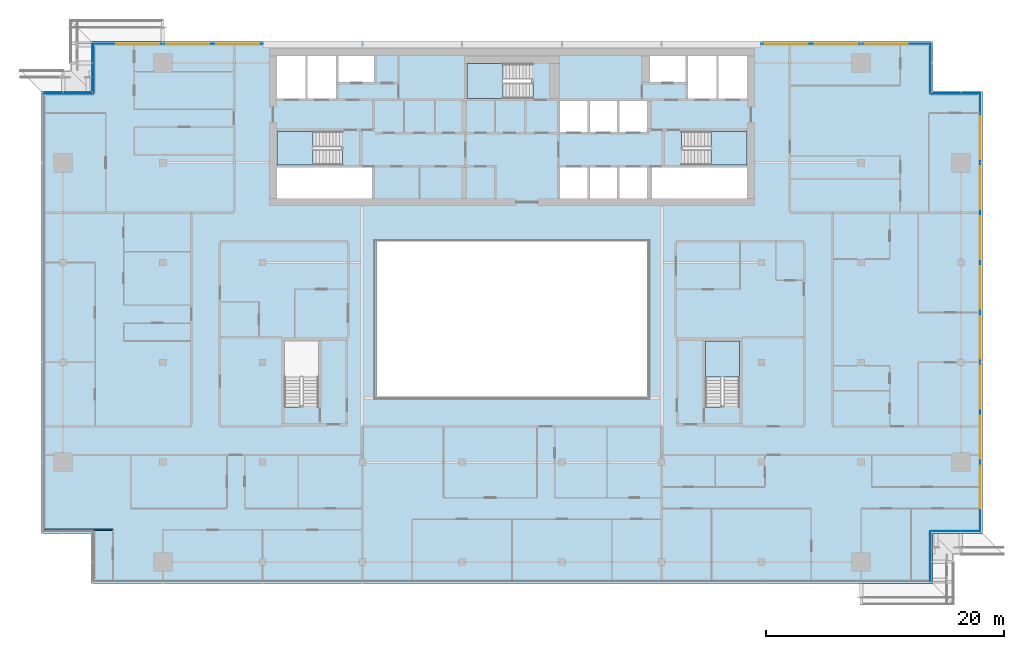
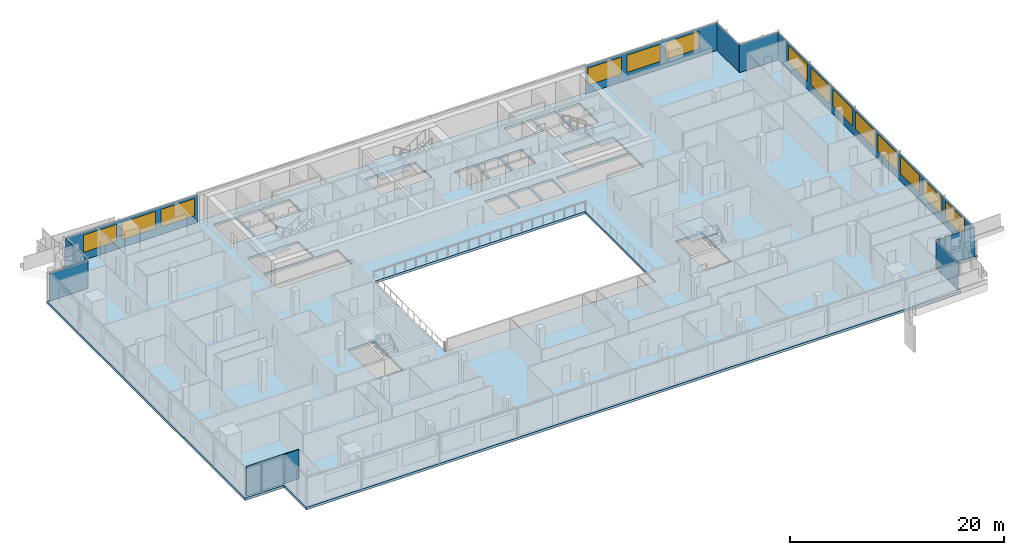
# One storey, part 17 of 30: 14 windows, 9 plates, 5 slabs, 1 wall, 14 openings, 12 elements without a shape of their own.
"""IFC4 building model written with IfcOpenShell, lengths in metres."""

from ifc_helpers import new_model, si_unit, direction, frame, frame_2d, origin, place, context, subcontext, project, spatial, polyline, rectangle, outline, extrude, material, layer, layer_set, type_object, element, fill, aggregate, save


model = new_model("IFC4")

# Units and contexts
model_context = context("Model", 3, precision=1e-05, world=origin(), true_north=direction((0.0, 1.0)))
body_context = subcontext(model_context, "Body", "Model", "MODEL_VIEW")
ifc_project = project(units=[si_unit("LENGTHUNIT", "METRE"), si_unit("AREAUNIT", "SQUARE_METRE"), si_unit("VOLUMEUNIT", "CUBIC_METRE"), si_unit("PLANEANGLEUNIT", "RADIAN"), si_unit("MASSUNIT", "GRAM", prefix="KILO")], contexts=[model_context])

# Site, building, storey
site_placement = place(None, origin())
site = spatial("IfcSite", under=ifc_project, at=site_placement, CompositionType="ELEMENT")
building_placement = place(site_placement, origin())
building = spatial("IfcBuilding", under=site, at=building_placement, Name="Saffron Gate Tower", CompositionType="ELEMENT")
storey_placement = place(building_placement, frame((0.0, 0.0, 237.89990234375)))
storey = spatial("IfcBuildingStorey", under=building, at=storey_placement, Name="L58", CompositionType="ELEMENT", Elevation=237.89990234375)

# Curtain wall, plate, openings, windows
ifc_material_1 = material(Name="Aluminium, bronze anodised", Category="aluminium")
curtain_wall_type_1 = type_object("IfcCurtainWallType", Name="CWS2 curtain wall side facades", PredefinedType="NOTDEFINED", material=ifc_material_1)
curtain_wall_1_placement = place(storey_placement, origin())
curtain_wall_1 = element("IfcCurtainWall", 1, at=curtain_wall_1_placement, inside=storey, type_object=curtain_wall_type_1, Name="CWS2 run 4", PredefinedType="NOTDEFINED")
ifc_material_2 = material(Name="Fritted bronze-tinted laminated glass", Category="glass")
ifc_layer_1 = layer(ifc_material_2, 0.028076171875)
ifc_layer_set_1 = layer_set([ifc_layer_1], Name="CWS2 fixed glass")
plate_type_1 = type_object("IfcPlateType", Name="CWS2 fixed glass", PredefinedType="CURTAIN_PANEL", material=ifc_layer_set_1)
plate_1_placement = place(storey_placement, frame((127.02587890625, 34.387939453125, 0.0), z_axis=(0.0, 0.0, 1.0), x_axis=(0.0, 1.0, 0.0)))
plate_1 = element("IfcPlate", 2, at=plate_1_placement, type_object=plate_type_1, Name="CWS2 glass panel", PredefinedType="CURTAIN_PANEL", context=body_context, shape_type="SweptSolid", body=[
    extrude(rectangle(XDim=36.823974609375, YDim=0.028076171875, at=frame_2d((18.412109375, 0.0))), origin(), (0.0, 0.0, 1.0), 3.2001953125),
])
opening_1_placement = place(plate_1_placement, frame((1.912109375, 0.0, 0.89990234375)))
opening_1 = element("IfcOpeningElement", 3, at=opening_1_placement, cuts=plate_1, Name="Opening W1", PredefinedType="OPENING", context=body_context, shape_type="SweptSolid", body=[
    extrude(rectangle(XDim=3.60009765625, YDim=1.949951171875, at=frame_2d((1.800048828125, 0.97509765625))), frame((0.0, 0.02392578125, 0.0), z_axis=(0.0, -1.0, 0.0), x_axis=(1.0, 0.0, 0.0)), (0.0, 0.0, 1.0), 0.048095703125),
])
opening_2_placement = place(plate_1_placement, frame((6.112060546875, 0.0, 0.89990234375)))
opening_2 = element("IfcOpeningElement", 4, at=opening_2_placement, cuts=plate_1, Name="Opening W1", PredefinedType="OPENING", context=body_context, shape_type="SweptSolid", body=[
    extrude(rectangle(XDim=3.60009765625, YDim=1.949951171875, at=frame_2d((1.800048828125, 0.97509765625))), frame((0.0, 0.02392578125, 0.0), z_axis=(0.0, -1.0, 0.0), x_axis=(1.0, 0.0, 0.0)), (0.0, 0.0, 1.0), 0.048095703125),
])
opening_3_placement = place(plate_1_placement, frame((10.31201171875, 0.0, 0.89990234375)))
opening_3 = element("IfcOpeningElement", 5, at=opening_3_placement, cuts=plate_1, Name="Opening W1", PredefinedType="OPENING", context=body_context, shape_type="SweptSolid", body=[
    extrude(rectangle(XDim=3.60009765625, YDim=1.949951171875, at=frame_2d((1.800048828125, 0.97509765625))), frame((0.0, 0.02392578125, 0.0), z_axis=(0.0, -1.0, 0.0), x_axis=(1.0, 0.0, 0.0)), (0.0, 0.0, 1.0), 0.048095703125),
])
opening_4_placement = place(plate_1_placement, frame((14.511962890625, 0.0, 0.89990234375)))
opening_4 = element("IfcOpeningElement", 6, at=opening_4_placement, cuts=plate_1, Name="Opening W1", PredefinedType="OPENING", context=body_context, shape_type="SweptSolid", body=[
    extrude(rectangle(XDim=3.60009765625, YDim=1.949951171875, at=frame_2d((1.800048828125, 0.97509765625))), frame((0.0, 0.02392578125, 0.0), z_axis=(0.0, -1.0, 0.0), x_axis=(1.0, 0.0, 0.0)), (0.0, 0.0, 1.0), 0.048095703125),
])
opening_5_placement = place(plate_1_placement, frame((18.7119140625, 0.0, 0.89990234375)))
opening_5 = element("IfcOpeningElement", 7, at=opening_5_placement, cuts=plate_1, Name="Opening W1", PredefinedType="OPENING", context=body_context, shape_type="SweptSolid", body=[
    extrude(rectangle(XDim=3.60009765625, YDim=1.949951171875, at=frame_2d((1.800048828125, 0.97509765625))), frame((0.0, 0.02392578125, 0.0), z_axis=(0.0, -1.0, 0.0), x_axis=(1.0, 0.0, 0.0)), (0.0, 0.0, 1.0), 0.048095703125),
])
opening_6_placement = place(plate_1_placement, frame((22.912109375, 0.0, 0.89990234375)))
opening_6 = element("IfcOpeningElement", 8, at=opening_6_placement, cuts=plate_1, Name="Opening W1", PredefinedType="OPENING", context=body_context, shape_type="SweptSolid", body=[
    extrude(rectangle(XDim=3.60009765625, YDim=1.949951171875, at=frame_2d((1.800048828125, 0.97509765625))), frame((0.0, 0.02392578125, 0.0), z_axis=(0.0, -1.0, 0.0), x_axis=(1.0, 0.0, 0.0)), (0.0, 0.0, 1.0), 0.048095703125),
])
opening_7_placement = place(plate_1_placement, frame((27.112060546875, 0.0, 0.89990234375)))
opening_7 = element("IfcOpeningElement", 9, at=opening_7_placement, cuts=plate_1, Name="Opening W1", PredefinedType="OPENING", context=body_context, shape_type="SweptSolid", body=[
    extrude(rectangle(XDim=3.60009765625, YDim=1.949951171875, at=frame_2d((1.800048828125, 0.97509765625))), frame((0.0, 0.02392578125, 0.0), z_axis=(0.0, -1.0, 0.0), x_axis=(1.0, 0.0, 0.0)), (0.0, 0.0, 1.0), 0.048095703125),
])
opening_8_placement = place(plate_1_placement, frame((31.31201171875, 0.0, 0.89990234375)))
opening_8 = element("IfcOpeningElement", 10, at=opening_8_placement, cuts=plate_1, Name="Opening W1", PredefinedType="OPENING", context=body_context, shape_type="SweptSolid", body=[
    extrude(rectangle(XDim=3.60009765625, YDim=1.949951171875, at=frame_2d((1.800048828125, 0.97509765625))), frame((0.0, 0.02392578125, 0.0), z_axis=(0.0, -1.0, 0.0), x_axis=(1.0, 0.0, 0.0)), (0.0, 0.0, 1.0), 0.048095703125),
])
ifc_material_3 = material(Name="Fritted bronze-tinted laminated glass in bronze frame", Category="glass")
ifc_layer_2 = layer(ifc_material_3, 0.06005859375)
ifc_layer_set_2 = layer_set([ifc_layer_2], Name="W1 operable panel 3600x1950")
window_type = type_object("IfcWindowType", Name="W1 operable panel 3600x1950", PartitioningType="DOUBLE_PANEL_HORIZONTAL", PredefinedType="WINDOW", material=ifc_layer_set_2)
window_1_placement = place(opening_1_placement, origin())
window_1 = element("IfcWindow", 11, at=window_1_placement, type_object=window_type, Name="W1 operable panel", OverallHeight=1.949951171875, OverallWidth=3.60009765625, PartitioningType="SINGLE_PANEL", PredefinedType="WINDOW", context=body_context, shape_type="SweptSolid", body=[
    extrude(rectangle(XDim=3.60009765625, YDim=1.949951171875, at=frame_2d((1.800048828125, 0.97509765625))), frame((0.0, 0.013671875, 0.0), z_axis=(0.0, -1.0, 0.0), x_axis=(1.0, 0.0, 0.0)), (0.0, 0.0, 1.0), 0.027587890625),
])
fill(opening_1, window_1)
window_2_placement = place(opening_2_placement, origin())
window_2 = element("IfcWindow", 12, at=window_2_placement, type_object=window_type, Name="W1 operable panel", OverallHeight=1.949951171875, OverallWidth=3.60009765625, PartitioningType="SINGLE_PANEL", PredefinedType="WINDOW", context=body_context, shape_type="SweptSolid", body=[
    extrude(rectangle(XDim=3.60009765625, YDim=1.949951171875, at=frame_2d((1.800048828125, 0.97509765625))), frame((0.0, 0.013671875, 0.0), z_axis=(0.0, -1.0, 0.0), x_axis=(1.0, 0.0, 0.0)), (0.0, 0.0, 1.0), 0.027587890625),
])
fill(opening_2, window_2)
window_3_placement = place(opening_3_placement, origin())
window_3 = element("IfcWindow", 13, at=window_3_placement, type_object=window_type, Name="W1 operable panel", OverallHeight=1.949951171875, OverallWidth=3.60009765625, PartitioningType="SINGLE_PANEL", PredefinedType="WINDOW", context=body_context, shape_type="SweptSolid", body=[
    extrude(rectangle(XDim=3.60009765625, YDim=1.949951171875, at=frame_2d((1.800048828125, 0.97509765625))), frame((0.0, 0.013671875, 0.0), z_axis=(0.0, -1.0, 0.0), x_axis=(1.0, 0.0, 0.0)), (0.0, 0.0, 1.0), 0.027587890625),
])
fill(opening_3, window_3)
window_4_placement = place(opening_4_placement, origin())
window_4 = element("IfcWindow", 14, at=window_4_placement, type_object=window_type, Name="W1 operable panel", OverallHeight=1.949951171875, OverallWidth=3.60009765625, PartitioningType="SINGLE_PANEL", PredefinedType="WINDOW", context=body_context, shape_type="SweptSolid", body=[
    extrude(rectangle(XDim=3.60009765625, YDim=1.949951171875, at=frame_2d((1.800048828125, 0.97509765625))), frame((0.0, 0.013671875, 0.0), z_axis=(0.0, -1.0, 0.0), x_axis=(1.0, 0.0, 0.0)), (0.0, 0.0, 1.0), 0.027587890625),
])
fill(opening_4, window_4)
window_5_placement = place(opening_5_placement, origin())
window_5 = element("IfcWindow", 15, at=window_5_placement, type_object=window_type, Name="W1 operable panel", OverallHeight=1.949951171875, OverallWidth=3.60009765625, PartitioningType="SINGLE_PANEL", PredefinedType="WINDOW", context=body_context, shape_type="SweptSolid", body=[
    extrude(rectangle(XDim=3.60009765625, YDim=1.949951171875, at=frame_2d((1.800048828125, 0.97509765625))), frame((0.0, 0.013671875, 0.0), z_axis=(0.0, -1.0, 0.0), x_axis=(1.0, 0.0, 0.0)), (0.0, 0.0, 1.0), 0.027587890625),
])
fill(opening_5, window_5)
window_6_placement = place(opening_6_placement, origin())
window_6 = element("IfcWindow", 16, at=window_6_placement, type_object=window_type, Name="W1 operable panel", OverallHeight=1.949951171875, OverallWidth=3.60009765625, PartitioningType="SINGLE_PANEL", PredefinedType="WINDOW", context=body_context, shape_type="SweptSolid", body=[
    extrude(rectangle(XDim=3.60009765625, YDim=1.949951171875, at=frame_2d((1.800048828125, 0.97509765625))), frame((0.0, 0.013671875, 0.0), z_axis=(0.0, -1.0, 0.0), x_axis=(1.0, 0.0, 0.0)), (0.0, 0.0, 1.0), 0.027587890625),
])
fill(opening_6, window_6)
window_7_placement = place(opening_7_placement, origin())
window_7 = element("IfcWindow", 17, at=window_7_placement, type_object=window_type, Name="W1 operable panel", OverallHeight=1.949951171875, OverallWidth=3.60009765625, PartitioningType="SINGLE_PANEL", PredefinedType="WINDOW", context=body_context, shape_type="SweptSolid", body=[
    extrude(rectangle(XDim=3.60009765625, YDim=1.949951171875, at=frame_2d((1.800048828125, 0.97509765625))), frame((0.0, 0.013671875, 0.0), z_axis=(0.0, -1.0, 0.0), x_axis=(1.0, 0.0, 0.0)), (0.0, 0.0, 1.0), 0.027587890625),
])
fill(opening_7, window_7)
window_8_placement = place(opening_8_placement, origin())
window_8 = element("IfcWindow", 18, at=window_8_placement, type_object=window_type, Name="W1 operable panel", OverallHeight=1.949951171875, OverallWidth=3.60009765625, PartitioningType="SINGLE_PANEL", PredefinedType="WINDOW", context=body_context, shape_type="SweptSolid", body=[
    extrude(rectangle(XDim=3.60009765625, YDim=1.949951171875, at=frame_2d((1.800048828125, 0.97509765625))), frame((0.0, 0.013671875, 0.0), z_axis=(0.0, -1.0, 0.0), x_axis=(1.0, 0.0, 0.0)), (0.0, 0.0, 1.0), 0.027587890625),
])
fill(opening_8, window_8)
aggregate(curtain_wall_1, [plate_1, window_1, window_2, window_3, window_4, window_5, window_6, window_7, window_8])

# Curtain wall, plates, openings, windows
curtain_wall_type_2 = type_object("IfcCurtainWallType", Name="CWS3 curtain wall rear facade", PredefinedType="NOTDEFINED", material=ifc_material_1)
curtain_wall_2_placement = place(storey_placement, origin())
curtain_wall_2 = element("IfcCurtainWall", 19, at=curtain_wall_2_placement, inside=storey, type_object=curtain_wall_type_2, Name="CWS3 run 7", PredefinedType="NOTDEFINED")
ifc_material_4 = material(Name="Fritted grey-tinted laminated glass", Category="glass")
ifc_layer_3 = layer(ifc_material_4, 0.028076171875)
ifc_layer_set_3 = layer_set([ifc_layer_3], Name="CWS3 fixed glass")
plate_type_2 = type_object("IfcPlateType", Name="CWS3 fixed glass", PredefinedType="CURTAIN_PANEL", material=ifc_layer_set_3)
plate_2_placement = place(storey_placement, frame((122.81201171875, 75.426025390625, 0.0), z_axis=(0.0, 0.0, 1.0), x_axis=(-1.0, 0.0, 0.0)))
plate_2 = element("IfcPlate", 20, at=plate_2_placement, type_object=plate_type_2, Name="CWS3 glass panel", PredefinedType="CURTAIN_PANEL", context=body_context, shape_type="SweptSolid", body=[
    extrude(rectangle(XDim=14.2470703125, YDim=0.028076171875, at=frame_2d((7.12353515625, 0.0))), origin(), (0.0, 0.0, 1.0), 3.2001953125),
])
opening_9_placement = place(plate_2_placement, frame((1.912109375, 0.0, 0.89990234375)))
opening_9 = element("IfcOpeningElement", 21, at=opening_9_placement, cuts=plate_2, Name="Opening W1", PredefinedType="OPENING", context=body_context, shape_type="SweptSolid", body=[
    extrude(rectangle(XDim=3.60009765625, YDim=1.949951171875, at=frame_2d((1.800048828125, 0.97509765625))), frame((0.0, 0.02392578125, 0.0), z_axis=(0.0, -1.0, 0.0), x_axis=(1.0, 0.0, 0.0)), (0.0, 0.0, 1.0), 0.048095703125),
])
opening_10_placement = place(plate_2_placement, frame((6.112060546875, 0.0, 0.89990234375)))
opening_10 = element("IfcOpeningElement", 22, at=opening_10_placement, cuts=plate_2, Name="Opening W1", PredefinedType="OPENING", context=body_context, shape_type="SweptSolid", body=[
    extrude(rectangle(XDim=3.60009765625, YDim=1.949951171875, at=frame_2d((1.800048828125, 0.97509765625))), frame((0.0, 0.02392578125, 0.0), z_axis=(0.0, -1.0, 0.0), x_axis=(1.0, 0.0, 0.0)), (0.0, 0.0, 1.0), 0.048095703125),
])
opening_11_placement = place(plate_2_placement, frame((10.31201171875, 0.0, 0.89990234375)))
opening_11 = element("IfcOpeningElement", 23, at=opening_11_placement, cuts=plate_2, Name="Opening W1", PredefinedType="OPENING", context=body_context, shape_type="SweptSolid", body=[
    extrude(rectangle(XDim=3.60009765625, YDim=1.949951171875, at=frame_2d((1.800048828125, 0.97509765625))), frame((0.0, 0.02392578125, 0.0), z_axis=(0.0, -1.0, 0.0), x_axis=(1.0, 0.0, 0.0)), (0.0, 0.0, 1.0), 0.048095703125),
])
window_9_placement = place(opening_9_placement, origin())
window_9 = element("IfcWindow", 24, at=window_9_placement, type_object=window_type, Name="W1 operable panel", OverallHeight=1.949951171875, OverallWidth=3.60009765625, PartitioningType="SINGLE_PANEL", PredefinedType="WINDOW", context=body_context, shape_type="SweptSolid", body=[
    extrude(rectangle(XDim=3.60009765625, YDim=1.949951171875, at=frame_2d((1.800048828125, 0.97509765625))), frame((0.0, 0.013671875, 0.0), z_axis=(0.0, -1.0, 0.0), x_axis=(1.0, 0.0, 0.0)), (0.0, 0.0, 1.0), 0.027587890625),
])
fill(opening_9, window_9)
window_10_placement = place(opening_10_placement, origin())
window_10 = element("IfcWindow", 25, at=window_10_placement, type_object=window_type, Name="W1 operable panel", OverallHeight=1.949951171875, OverallWidth=3.60009765625, PartitioningType="SINGLE_PANEL", PredefinedType="WINDOW", context=body_context, shape_type="SweptSolid", body=[
    extrude(rectangle(XDim=3.60009765625, YDim=1.949951171875, at=frame_2d((1.800048828125, 0.97509765625))), frame((0.0, 0.013671875, 0.0), z_axis=(0.0, -1.0, 0.0), x_axis=(1.0, 0.0, 0.0)), (0.0, 0.0, 1.0), 0.027587890625),
])
fill(opening_10, window_10)
window_11_placement = place(opening_11_placement, origin())
window_11 = element("IfcWindow", 26, at=window_11_placement, type_object=window_type, Name="W1 operable panel", OverallHeight=1.949951171875, OverallWidth=3.60009765625, PartitioningType="SINGLE_PANEL", PredefinedType="WINDOW", context=body_context, shape_type="SweptSolid", body=[
    extrude(rectangle(XDim=3.60009765625, YDim=1.949951171875, at=frame_2d((1.800048828125, 0.97509765625))), frame((0.0, 0.013671875, 0.0), z_axis=(0.0, -1.0, 0.0), x_axis=(1.0, 0.0, 0.0)), (0.0, 0.0, 1.0), 0.027587890625),
])
fill(opening_11, window_11)
plate_3_placement = place(storey_placement, frame((66.635009765625, 75.426025390625, 0.0), z_axis=(0.0, 0.0, 1.0), x_axis=(-1.0, 0.0, 0.0)))
plate_3 = element("IfcPlate", 27, at=plate_3_placement, type_object=plate_type_2, Name="CWS3 glass panel", PredefinedType="CURTAIN_PANEL", context=body_context, shape_type="SweptSolid", body=[
    extrude(rectangle(XDim=14.2470703125, YDim=0.028076171875, at=frame_2d((7.12353515625, 0.0))), origin(), (0.0, 0.0, 1.0), 3.2001953125),
])
opening_12_placement = place(plate_3_placement, frame((0.3349609375, 0.0, 0.89990234375)))
opening_12 = element("IfcOpeningElement", 28, at=opening_12_placement, cuts=plate_3, Name="Opening W1", PredefinedType="OPENING", context=body_context, shape_type="SweptSolid", body=[
    extrude(rectangle(XDim=3.60009765625, YDim=1.949951171875, at=frame_2d((1.800048828125, 0.97509765625))), frame((0.0, 0.02392578125, 0.0), z_axis=(0.0, -1.0, 0.0), x_axis=(1.0, 0.0, 0.0)), (0.0, 0.0, 1.0), 0.048095703125),
])
opening_13_placement = place(plate_3_placement, frame((4.534912109375, 0.0, 0.89990234375)))
opening_13 = element("IfcOpeningElement", 29, at=opening_13_placement, cuts=plate_3, Name="Opening W1", PredefinedType="OPENING", context=body_context, shape_type="SweptSolid", body=[
    extrude(rectangle(XDim=3.60009765625, YDim=1.949951171875, at=frame_2d((1.800048828125, 0.97509765625))), frame((0.0, 0.02392578125, 0.0), z_axis=(0.0, -1.0, 0.0), x_axis=(1.0, 0.0, 0.0)), (0.0, 0.0, 1.0), 0.048095703125),
])
opening_14_placement = place(plate_3_placement, frame((8.735107421875, 0.0, 0.89990234375)))
opening_14 = element("IfcOpeningElement", 30, at=opening_14_placement, cuts=plate_3, Name="Opening W1", PredefinedType="OPENING", context=body_context, shape_type="SweptSolid", body=[
    extrude(rectangle(XDim=3.60009765625, YDim=1.949951171875, at=frame_2d((1.800048828125, 0.97509765625))), frame((0.0, 0.02392578125, 0.0), z_axis=(0.0, -1.0, 0.0), x_axis=(1.0, 0.0, 0.0)), (0.0, 0.0, 1.0), 0.048095703125),
])
window_12_placement = place(opening_12_placement, origin())
window_12 = element("IfcWindow", 31, at=window_12_placement, type_object=window_type, Name="W1 operable panel", OverallHeight=1.949951171875, OverallWidth=3.60009765625, PartitioningType="SINGLE_PANEL", PredefinedType="WINDOW", context=body_context, shape_type="SweptSolid", body=[
    extrude(rectangle(XDim=3.60009765625, YDim=1.949951171875, at=frame_2d((1.800048828125, 0.97509765625))), frame((0.0, 0.013671875, 0.0), z_axis=(0.0, -1.0, 0.0), x_axis=(1.0, 0.0, 0.0)), (0.0, 0.0, 1.0), 0.027587890625),
])
fill(opening_12, window_12)
window_13_placement = place(opening_13_placement, origin())
window_13 = element("IfcWindow", 32, at=window_13_placement, type_object=window_type, Name="W1 operable panel", OverallHeight=1.949951171875, OverallWidth=3.60009765625, PartitioningType="SINGLE_PANEL", PredefinedType="WINDOW", context=body_context, shape_type="SweptSolid", body=[
    extrude(rectangle(XDim=3.60009765625, YDim=1.949951171875, at=frame_2d((1.800048828125, 0.97509765625))), frame((0.0, 0.013671875, 0.0), z_axis=(0.0, -1.0, 0.0), x_axis=(1.0, 0.0, 0.0)), (0.0, 0.0, 1.0), 0.027587890625),
])
fill(opening_13, window_13)
window_14_placement = place(opening_14_placement, origin())
window_14 = element("IfcWindow", 33, at=window_14_placement, type_object=window_type, Name="W1 operable panel", OverallHeight=1.949951171875, OverallWidth=3.60009765625, PartitioningType="SINGLE_PANEL", PredefinedType="WINDOW", context=body_context, shape_type="SweptSolid", body=[
    extrude(rectangle(XDim=3.60009765625, YDim=1.949951171875, at=frame_2d((1.800048828125, 0.97509765625))), frame((0.0, 0.013671875, 0.0), z_axis=(0.0, -1.0, 0.0), x_axis=(1.0, 0.0, 0.0)), (0.0, 0.0, 1.0), 0.027587890625),
])
fill(opening_14, window_14)
aggregate(curtain_wall_2, [plate_2, plate_3, window_9, window_10, window_11, window_12, window_13, window_14])

# Curtain wall, plate
curtain_wall_type_3 = type_object("IfcCurtainWallType", Name="CWS4 curtain wall corner returns", PredefinedType="NOTDEFINED", material=ifc_material_1)
curtain_wall_3_placement = place(storey_placement, origin())
curtain_wall_3 = element("IfcCurtainWall", 34, at=curtain_wall_3_placement, inside=storey, type_object=curtain_wall_type_3, Name="CWS4 run 2", PredefinedType="NOTDEFINED")
ifc_layer_4 = layer(ifc_material_2, 0.028076171875)
ifc_layer_set_4 = layer_set([ifc_layer_4], Name="CWS4 fixed glass")
plate_type_3 = type_object("IfcPlateType", Name="CWS4 fixed glass", PredefinedType="CURTAIN_PANEL", material=ifc_layer_set_4)
plate_4_placement = place(storey_placement, frame((122.825927734375, 30.18798828125, 0.0), z_axis=(0.0, 0.0, 1.0), x_axis=(0.0, 1.0, 0.0)))
plate_4 = element("IfcPlate", 35, at=plate_4_placement, type_object=plate_type_3, Name="CWS4 glass panel", PredefinedType="CURTAIN_PANEL", context=body_context, shape_type="SweptSolid", body=[
    extrude(rectangle(XDim=4.172119140625, YDim=0.028076171875, at=frame_2d((2.0859375, 0.0))), origin(), (0.0, 0.0, 1.0), 3.2001953125),
])
aggregate(curtain_wall_3, [plate_4])

curtain_wall_4_placement = place(storey_placement, origin())
curtain_wall_4 = element("IfcCurtainWall", 36, at=curtain_wall_4_placement, inside=storey, type_object=curtain_wall_type_3, Name="CWS4 run 3", PredefinedType="NOTDEFINED")
plate_5_placement = place(storey_placement, frame((122.840087890625, 34.3740234375, 0.0), z_axis=(0.0, 0.0, 1.0), x_axis=(1.0, 0.0, 0.0)))
plate_5 = element("IfcPlate", 37, at=plate_5_placement, type_object=plate_type_3, Name="CWS4 glass panel", PredefinedType="CURTAIN_PANEL", context=body_context, shape_type="SweptSolid", body=[
    extrude(rectangle(XDim=4.171875, YDim=0.028076171875, at=frame_2d((2.0859375, 0.0))), origin(), (0.0, 0.0, 1.0), 3.2001953125),
])
aggregate(curtain_wall_4, [plate_5])

curtain_wall_5_placement = place(storey_placement, origin())
curtain_wall_5 = element("IfcCurtainWall", 38, at=curtain_wall_5_placement, inside=storey, type_object=curtain_wall_type_3, Name="CWS4 run 5", PredefinedType="NOTDEFINED")
plate_6_placement = place(storey_placement, frame((127.011962890625, 71.22607421875, 0.0), z_axis=(0.0, 0.0, 1.0), x_axis=(-1.0, 0.0, 0.0)))
plate_6 = element("IfcPlate", 39, at=plate_6_placement, type_object=plate_type_3, Name="CWS4 glass panel", PredefinedType="CURTAIN_PANEL", context=body_context, shape_type="SweptSolid", body=[
    extrude(rectangle(XDim=4.171875, YDim=0.028076171875, at=frame_2d((2.0859375, 0.0))), origin(), (0.0, 0.0, 1.0), 3.2001953125),
])
aggregate(curtain_wall_5, [plate_6])

curtain_wall_6_placement = place(storey_placement, origin())
curtain_wall_6 = element("IfcCurtainWall", 40, at=curtain_wall_6_placement, inside=storey, type_object=curtain_wall_type_3, Name="CWS4 run 6", PredefinedType="NOTDEFINED")
plate_7_placement = place(storey_placement, frame((122.825927734375, 71.239990234375, 0.0), z_axis=(0.0, 0.0, 1.0), x_axis=(0.0, 1.0, 0.0)))
plate_7 = element("IfcPlate", 41, at=plate_7_placement, type_object=plate_type_3, Name="CWS4 glass panel", PredefinedType="CURTAIN_PANEL", context=body_context, shape_type="SweptSolid", body=[
    extrude(rectangle(XDim=4.172119140625, YDim=0.028076171875, at=frame_2d((2.0859375, 0.0))), origin(), (0.0, 0.0, 1.0), 3.2001953125),
])
aggregate(curtain_wall_6, [plate_7])

curtain_wall_7_placement = place(storey_placement, origin())
curtain_wall_7 = element("IfcCurtainWall", 42, at=curtain_wall_7_placement, inside=storey, type_object=curtain_wall_type_3, Name="CWS4 run 8", PredefinedType="NOTDEFINED")
plate_8_placement = place(storey_placement, frame((52.3740234375, 75.412109375, 0.0), z_axis=(0.0, 0.0, 1.0), x_axis=(0.0, -1.0, 0.0)))
plate_8 = element("IfcPlate", 43, at=plate_8_placement, type_object=plate_type_3, Name="CWS4 glass panel", PredefinedType="CURTAIN_PANEL", context=body_context, shape_type="SweptSolid", body=[
    extrude(rectangle(XDim=4.172119140625, YDim=0.028076171875, at=frame_2d((2.0859375, 0.0))), origin(), (0.0, 0.0, 1.0), 3.2001953125),
])
aggregate(curtain_wall_7, [plate_8])

curtain_wall_8_placement = place(storey_placement, origin())
curtain_wall_8 = element("IfcCurtainWall", 44, at=curtain_wall_8_placement, inside=storey, type_object=curtain_wall_type_3, Name="CWS4 run 9", PredefinedType="NOTDEFINED")
plate_9_placement = place(storey_placement, frame((52.360107421875, 71.22607421875, 0.0), z_axis=(0.0, 0.0, 1.0), x_axis=(-1.0, 0.0, 0.0)))
plate_9 = element("IfcPlate", 45, at=plate_9_placement, type_object=plate_type_3, Name="CWS4 glass panel", PredefinedType="CURTAIN_PANEL", context=body_context, shape_type="SweptSolid", body=[
    extrude(rectangle(XDim=4.172119140625, YDim=0.028076171875, at=frame_2d((2.0859375, 0.0))), origin(), (0.0, 0.0, 1.0), 3.2001953125),
])
aggregate(curtain_wall_8, [plate_9])

# Slab
ifc_material_5 = material(Name="Concrete C40", Category="concrete")
ifc_layer_5 = layer(ifc_material_5, 0.280029296875)
ifc_layer_set_5 = layer_set([ifc_layer_5], Name="S2 FLOOR SLAB 280 CONCRETE C40")
slab_type_1 = type_object("IfcSlabType", Name="S2 FLOOR SLAB 280 CONCRETE C40", PredefinedType="FLOOR", material=ifc_layer_set_5)
slab_1_placement = place(storey_placement, frame((0.0, 0.0, -0.27978515625)))
element("IfcSlab", 46, at=slab_1_placement, inside=storey, type_object=slab_type_1, Name="S2 FLOOR SLAB", PredefinedType="FLOOR", context=body_context, shape_type="SweptSolid", body=[
    extrude(outline(polyline([(48.0, 34.199951171875), (52.199951171875, 34.199951171875), (52.199951171875, 30.0), (123.0, 30.0), (123.0, 34.199951171875), (127.199951171875, 34.199951171875), (127.199951171875, 71.39990234375), (123.0, 71.39990234375), (123.0, 75.60009765625), (52.199951171875, 75.60009765625), (52.199951171875, 71.39990234375), (48.0, 71.39990234375), (48.0, 34.199951171875)]), holes=[polyline([(67.800048828125, 62.39990234375), (67.800048828125, 65.0), (75.800048828125, 65.0), (75.800048828125, 62.39990234375), (67.800048828125, 62.39990234375)]), polyline([(67.800048828125, 65.199951171875), (67.800048828125, 68.050048828125), (73.25, 68.050048828125), (73.25, 66.550048828125), (73.34912109375, 66.550048828125), (73.34912109375, 65.199951171875), (67.800048828125, 65.199951171875)]), polyline([(67.800048828125, 70.800048828125), (67.800048828125, 74.39990234375), (70.199951171875, 74.39990234375), (70.199951171875, 70.800048828125), (67.800048828125, 70.800048828125)]), polyline([(68.449951171875, 44.85107421875), (68.449951171875, 50.39990234375), (71.300048828125, 50.39990234375), (71.300048828125, 44.949951171875), (69.800048828125, 44.949951171875), (69.800048828125, 44.85107421875), (68.449951171875, 44.85107421875)]), polyline([(70.39990234375, 70.800048828125), (70.39990234375, 74.39990234375), (72.800048828125, 74.39990234375), (72.800048828125, 70.800048828125), (70.39990234375, 70.800048828125)]), polyline([(73.0, 72.199951171875), (73.0, 74.39990234375), (76.0, 74.39990234375), (76.0, 72.199951171875), (73.0, 72.199951171875)]), polyline([(76.199951171875, 45.60009765625), (76.199951171875, 58.800048828125), (99.0, 58.800048828125), (99.0, 45.60009765625), (76.199951171875, 45.60009765625)]), polyline([(83.800048828125, 70.800048828125), (83.800048828125, 73.75), (89.25, 73.75), (89.25, 72.14990234375), (89.34912109375, 72.14990234375), (89.34912109375, 70.800048828125), (83.800048828125, 70.800048828125)]), polyline([(91.64990234375, 62.39990234375), (91.64990234375, 65.0), (93.949951171875, 65.0), (93.949951171875, 62.39990234375), (91.64990234375, 62.39990234375)]), polyline([(91.64990234375, 68.0), (91.64990234375, 70.60009765625), (93.949951171875, 70.60009765625), (93.949951171875, 68.0), (91.64990234375, 68.0)]), polyline([(94.14990234375, 62.39990234375), (94.14990234375, 65.0), (96.449951171875, 65.0), (96.449951171875, 62.39990234375), (94.14990234375, 62.39990234375)]), polyline([(94.14990234375, 68.0), (94.14990234375, 70.60009765625), (96.449951171875, 70.60009765625), (96.449951171875, 68.0), (94.14990234375, 68.0)]), polyline([(96.64990234375, 62.39990234375), (96.64990234375, 65.0), (98.949951171875, 65.0), (98.949951171875, 62.39990234375), (96.64990234375, 62.39990234375)]), polyline([(96.64990234375, 68.0), (96.64990234375, 70.60009765625), (98.949951171875, 70.60009765625), (98.949951171875, 68.0), (96.64990234375, 68.0)]), polyline([(99.199951171875, 72.199951171875), (99.199951171875, 74.39990234375), (102.199951171875, 74.39990234375), (102.199951171875, 72.199951171875), (99.199951171875, 72.199951171875)]), polyline([(99.39990234375, 62.39990234375), (99.39990234375, 65.0), (107.39990234375, 65.0), (107.39990234375, 62.39990234375), (99.39990234375, 62.39990234375)]), polyline([(101.85107421875, 66.699951171875), (101.85107421875, 68.050048828125), (107.39990234375, 68.050048828125), (107.39990234375, 65.199951171875), (101.949951171875, 65.199951171875), (101.949951171875, 66.699951171875), (101.85107421875, 66.699951171875)]), polyline([(102.39990234375, 70.800048828125), (102.39990234375, 74.39990234375), (104.800048828125, 74.39990234375), (104.800048828125, 70.800048828125), (102.39990234375, 70.800048828125)]), polyline([(103.89990234375, 44.85107421875), (103.89990234375, 50.39990234375), (106.75, 50.39990234375), (106.75, 44.949951171875), (105.25, 44.949951171875), (105.25, 44.85107421875), (103.89990234375, 44.85107421875)]), polyline([(105.0, 70.800048828125), (105.0, 74.39990234375), (107.39990234375, 74.39990234375), (107.39990234375, 70.800048828125), (105.0, 70.800048828125)])]), origin(), (0.0, 0.0, 1.0), 0.27978515625),
])

# Stair, slab
stair_type = type_object("IfcStairType", Name="ST7 Stair 1350 wide, 20 risers of 180", PredefinedType="HALF_TURN_STAIR", material=ifc_material_5)
stair_1_placement = place(storey_placement, origin())
stair_1 = element("IfcStair", 47, at=stair_1_placement, inside=storey, type_object=stair_type, Name="L58 Exit stair A", PredefinedType="HALF_TURN_STAIR")
ifc_layer_6 = layer(ifc_material_5, 0.199951171875)
ifc_layer_set_6 = layer_set([ifc_layer_6], Name="SL1 Stair landing 200")
slab_type_2 = type_object("IfcSlabType", Name="SL1 Stair landing 200", PredefinedType="LANDING", material=ifc_layer_set_6)
slab_2_placement = place(storey_placement, frame((0.0, 0.0, 1.60009765625)))
slab_2 = element("IfcSlab", 48, at=slab_2_placement, type_object=slab_type_2, Name="ST-A landing 1", PredefinedType="LANDING", context=body_context, shape_type="SweptSolid", body=[
    extrude(outline(polyline([(70.830078125, 68.050048828125), (67.800048828125, 68.050048828125), (67.800048828125, 65.199951171875), (70.830078125, 65.199951171875), (70.830078125, 68.050048828125)])), origin(), (0.0, 0.0, 1.0), 0.199951171875),
])
aggregate(stair_1, [slab_2])

stair_2_placement = place(storey_placement, origin())
stair_2 = element("IfcStair", 49, at=stair_2_placement, inside=storey, type_object=stair_type, Name="L58 Exit stair B", PredefinedType="HALF_TURN_STAIR")
slab_3_placement = place(storey_placement, frame((0.0, 0.0, 1.60009765625)))
slab_3 = element("IfcSlab", 50, at=slab_3_placement, type_object=slab_type_2, Name="ST-B landing 1", PredefinedType="LANDING", context=body_context, shape_type="SweptSolid", body=[
    extrude(outline(polyline([(104.3701171875, 65.199951171875), (107.39990234375, 65.199951171875), (107.39990234375, 68.050048828125), (104.3701171875, 68.050048828125), (104.3701171875, 65.199951171875)])), origin(), (0.0, 0.0, 1.0), 0.199951171875),
])
aggregate(stair_2, [slab_3])

stair_3_placement = place(storey_placement, origin())
stair_3 = element("IfcStair", 51, at=stair_3_placement, inside=storey, type_object=stair_type, Name="L58 Exit stair C", PredefinedType="HALF_TURN_STAIR")
slab_4_placement = place(storey_placement, frame((0.0, 0.0, 1.60009765625)))
slab_4 = element("IfcSlab", 52, at=slab_4_placement, type_object=slab_type_2, Name="ST-C landing 1", PredefinedType="LANDING", context=body_context, shape_type="SweptSolid", body=[
    extrude(outline(polyline([(86.830078125, 73.75), (83.800048828125, 73.75), (83.800048828125, 70.800048828125), (86.830078125, 70.800048828125), (86.830078125, 73.75)])), origin(), (0.0, 0.0, 1.0), 0.199951171875),
])
aggregate(stair_3, [slab_4])

stair_4_placement = place(storey_placement, origin())
stair_4 = element("IfcStair", 53, at=stair_4_placement, inside=storey, type_object=stair_type, Name="L58 Exit stair E", PredefinedType="HALF_TURN_STAIR")
slab_5_placement = place(storey_placement, frame((0.0, 0.0, 1.60009765625)))
slab_5 = element("IfcSlab", 54, at=slab_5_placement, type_object=slab_type_2, Name="ST-E landing 1", PredefinedType="LANDING", context=body_context, shape_type="SweptSolid", body=[
    extrude(outline(polyline([(106.75, 47.3701171875), (106.75, 50.39990234375), (103.89990234375, 50.39990234375), (103.89990234375, 47.3701171875), (106.75, 47.3701171875)])), origin(), (0.0, 0.0, 1.0), 0.199951171875),
])
aggregate(stair_4, [slab_5])

# Wall
ifc_material_6 = material(Name="Plasterboard on steel studs", Category="steel")
ifc_layer_7 = layer(ifc_material_6, 0.10009765625)
ifc_layer_set_7 = layer_set([ifc_layer_7], Name="PW1 Partition 100")
wall_type = type_object("IfcWallType", Name="PW1 Partition 100", PredefinedType="PARTITIONING", material=ifc_layer_set_7)
wall_placement = place(storey_placement, frame((48.280029296875, 34.5, 0.0), z_axis=(0.0, 0.0, 1.0), x_axis=(1.0, 0.0, 0.0)))
element("IfcWall", 55, at=wall_placement, inside=storey, type_object=wall_type, Name="Partition D4-1", PredefinedType="PARTITIONING", context=body_context, shape_type="SweptSolid", body=[
    extrude(rectangle(XDim=5.719970703125, YDim=0.10009765625, at=frame_2d((2.85986328125, 0.0))), origin(), (0.0, 0.0, 1.0), 3.320068359375),
])

save(model, "model.ifc")
